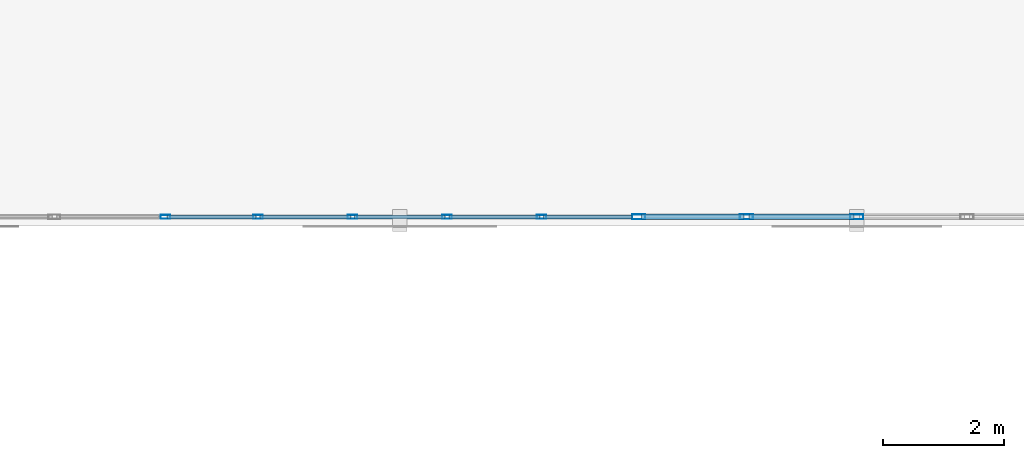
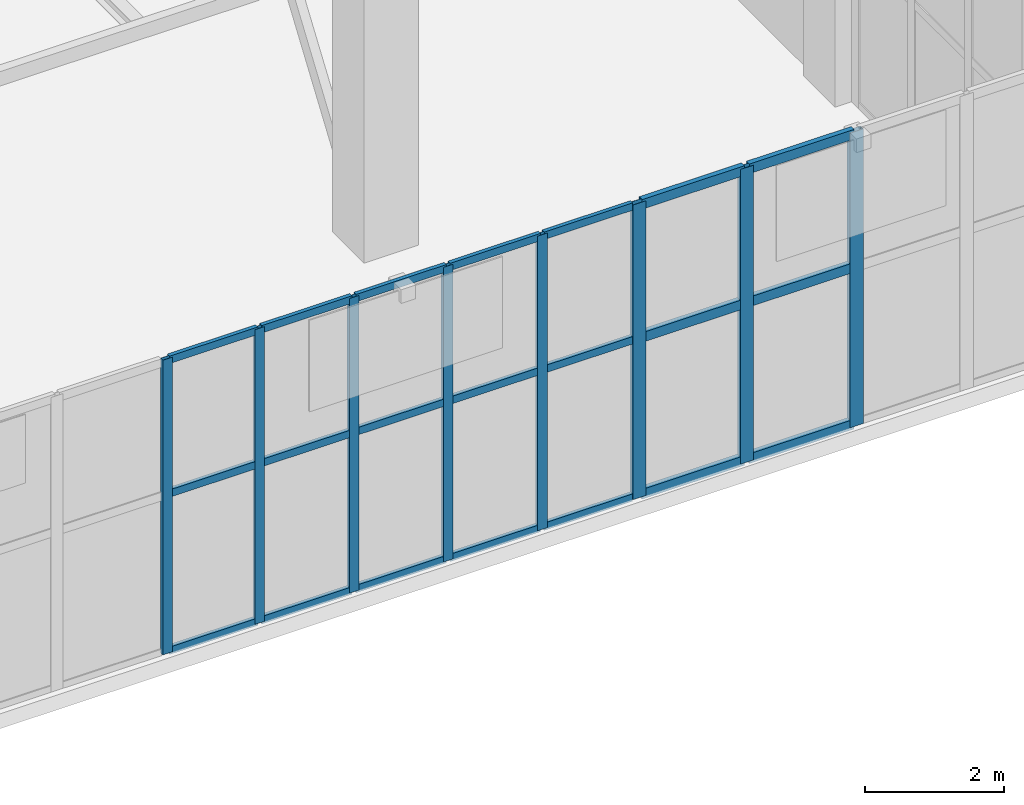
# One storey, part 37 of 139: 29 members, 2 elements without a shape of their own.
"""IFC4 building model written with IfcOpenShell, lengths in metres."""

import ifcopenshell
import ifcopenshell.guid

model = None  # the IFC model being written
_history = None  # IfcOwnerHistory: only IFC2X3 demands one
_inside = {}  # id of a spatial element -> (the spatial element, [elements in it])
_under = {}  # id of a project, library or spatial element -> (it, [spatial elements below it])
_declared = {}  # id of a project -> (the project, [libraries it declares])
_typed = {}  # id of a type object -> (the type object, [elements of that type])
_made_of = {}  # id of a material, layer set ... -> (it, [elements and type objects made of it])


def new_model(schema):
    """Start an empty IFC model of exactly this schema.

    Asked for "IFC4X3", IfcOpenShell would pick the latest addendum, in which some entities
    have other attributes; the version numbers below select the first issue.
    IFC2X3 requires an IfcOwnerHistory on every rooted entity: one is made here for all.
    """
    global model, _history
    if schema == "IFC4X3":
        model = ifcopenshell.file(schema_version=(4, 3, 0, 0))
    else:
        model = ifcopenshell.file(schema=schema)
    _inside.clear()
    _under.clear()
    _declared.clear()
    _typed.clear()
    _made_of.clear()
    _history = None
    if model.schema == "IFC2X3":
        org = make("IfcOrganization", Name="unknown")
        user = make(
            "IfcPersonAndOrganization",
            ThePerson=make("IfcPerson", FamilyName="unknown"),
            TheOrganization=org,
        )
        app = make(
            "IfcApplication",
            ApplicationDeveloper=org,
            Version="unknown",
            ApplicationFullName="unknown",
            ApplicationIdentifier="unknown",
        )
        _history = make(
            "IfcOwnerHistory",
            OwningUser=user,
            OwningApplication=app,
            ChangeAction="ADDED",
            CreationDate=0,
        )
    return model


def make(cls, **values):
    """One entity of the class cls with the attributes given. An attribute that is None is left unset."""
    return model.create_entity(
        cls, **{name: value for name, value in values.items() if value is not None}
    )


def rooted(cls, **values):
    """An entity with a GlobalId (a new one), such as an element, a storey or a relation."""
    return make(cls, GlobalId=ifcopenshell.guid.new(), OwnerHistory=_history, **values)


def si_unit(unit_type, name, prefix=None):
    """IfcSIUnit, for example si_unit("LENGTHUNIT", "METRE", prefix="MILLI")."""
    return make("IfcSIUnit", UnitType=unit_type, Prefix=prefix, Name=name)


def assignment(units):
    """IfcUnitAssignment: the units of a project."""
    return None if units is None else make("IfcUnitAssignment", Units=units)


def point(xyz):
    """IfcCartesianPoint."""
    return None if xyz is None else make("IfcCartesianPoint", Coordinates=xyz)


def direction(xyz):
    """IfcDirection."""
    return None if xyz is None else make("IfcDirection", DirectionRatios=xyz)


def frame(location, z_axis=None, x_axis=None):
    """IfcAxis2Placement3D, a coordinate frame: its origin and axes. An axis left out is left unset."""
    return make(
        "IfcAxis2Placement3D",
        Location=point(location),
        Axis=direction(z_axis),
        RefDirection=direction(x_axis),
    )


def frame_2d(location, x_axis=None):
    """IfcAxis2Placement2D, a coordinate frame in the plane: its origin and x axis."""
    return make(
        "IfcAxis2Placement2D", Location=point(location), RefDirection=direction(x_axis)
    )


def origin():
    """The frame at (0, 0, 0) with its axes left unset."""
    return frame((0.0, 0.0, 0.0))


def origin_2d():
    """The frame at (0, 0) in the plane with its x axis left unset."""
    return frame_2d((0.0, 0.0))


def place(relative_to, where):
    """IfcLocalPlacement: puts the frame where relative to a parent placement (None: the world)."""
    return make(
        "IfcLocalPlacement", PlacementRelTo=relative_to, RelativePlacement=where
    )


def context(
    kind, dimensions, precision=None, world=None, true_north=None, identifier=None
):
    """IfcGeometricRepresentationContext, for example the 3D "Model" context."""
    return make(
        "IfcGeometricRepresentationContext",
        ContextIdentifier=identifier,
        ContextType=kind,
        CoordinateSpaceDimension=dimensions,
        Precision=precision,
        WorldCoordinateSystem=world,
        TrueNorth=true_north,
    )


def subcontext(parent, identifier, kind, view, scale=None):
    """IfcGeometricRepresentationSubContext, for example "Body" below "Model"."""
    return make(
        "IfcGeometricRepresentationSubContext",
        ContextIdentifier=identifier,
        ContextType=kind,
        ParentContext=parent,
        TargetScale=scale,
        TargetView=view,
    )


def project(units=None, contexts=None):
    """IfcProject with its units and contexts."""
    return rooted(
        "IfcProject",
        Name="project",
        RepresentationContexts=contexts,
        UnitsInContext=assignment(units),
    )


def spatial(cls, under=None, at=None, **own):
    """A site, building, storey or space (cls), placed at a placement, below another one or the project."""
    s = rooted(cls, ObjectPlacement=at, **own)
    if under is not None:
        _under.setdefault(under.id(), (under, []))[1].append(s)
    return s


def profile(cls, at=None, kind="AREA", **sizes):
    """A parametric profile (cls). Its sizes go by their IFC names, for example OverallWidth=200.0."""
    return make(cls, ProfileType=kind, Position=at, **sizes)


def hollow_rectangle(**sizes):
    """IfcRectangleHollowProfileDef."""
    return profile("IfcRectangleHollowProfileDef", **sizes)


def extrude(swept, where, along, depth):
    """IfcExtrudedAreaSolid: the profile swept, set in the frame where, extruded along a direction by depth."""
    return make(
        "IfcExtrudedAreaSolid",
        SweptArea=swept,
        Position=where,
        ExtrudedDirection=direction(along),
        Depth=depth,
    )


def shape(context_of_items, identifier, shape_type, items):
    """IfcShapeRepresentation: the items that make up one representation, for example the "Body"."""
    return make(
        "IfcShapeRepresentation",
        ContextOfItems=context_of_items,
        RepresentationIdentifier=identifier,
        RepresentationType=shape_type,
        Items=items,
    )


def material(Name=None, Category=None):
    """IfcMaterial."""
    return make("IfcMaterial", Name=Name, Category=Category)


def layer(
    of_material, thickness, ventilated=None, Name=None, Category=None, Priority=None
):
    """IfcMaterialLayer: one layer of a wall or slab, of a material (None: an air gap)."""
    return make(
        "IfcMaterialLayer",
        Material=of_material,
        LayerThickness=thickness,
        IsVentilated=ventilated,
        Name=Name,
        Category=Category,
        Priority=Priority,
    )


def layer_set(layers, Name=None):
    """IfcMaterialLayerSet."""
    return make("IfcMaterialLayerSet", MaterialLayers=layers, LayerSetName=Name)


def material_profile(
    of_material, cross_section, Name=None, Category=None, Priority=None
):
    """IfcMaterialProfile: a cross section and its material."""
    return make(
        "IfcMaterialProfile",
        Name=Name,
        Material=of_material,
        Profile=cross_section,
        Priority=Priority,
        Category=Category,
    )


def profile_set(profiles, Name=None, composite=None):
    """IfcMaterialProfileSet."""
    return make(
        "IfcMaterialProfileSet",
        Name=Name,
        MaterialProfiles=profiles,
        CompositeProfile=composite,
    )


def made_of(thing, what):
    """Note that an element or type object is made of a material, layer set ...; save() writes the relation."""
    if what is not None:
        _made_of.setdefault(what.id(), (what, []))[1].append(thing)
    return thing


def type_object(cls, material=None, **own):
    """A type object (cls), such as IfcWallType, which elements share."""
    return made_of(rooted(cls, **own), material)


def element(
    cls,
    number,
    at=None,
    inside=None,
    cuts=None,
    type_object=None,
    material=None,
    context=None,
    identifier="Body",
    shape_type=None,
    held_by="IfcProductDefinitionShape",
    body=None,
    shapes=None,
    **own,
):
    """One element of the class cls, such as IfcWall. Its Tag is "e" and its number.

    at: its placement. inside: the storey or other place that contains it. cuts: it is an
    opening in that element (IfcRelVoidsElement). A single representation is given by context,
    identifier, shape_type and body (its items); several are given by shapes. held_by: the class
    of the entity that holds the representations. save() writes the other relations.
    """
    e = rooted(cls, Tag="e%d" % number, ObjectPlacement=at, **own)
    if body is not None:
        shapes = [shape(context, identifier, shape_type, body)]
    if shapes is not None:
        e.Representation = make(held_by, Representations=shapes)
    if inside is not None:
        _inside.setdefault(inside.id(), (inside, []))[1].append(e)
    if cuts is not None:
        rooted(
            "IfcRelVoidsElement", RelatingBuildingElement=cuts, RelatedOpeningElement=e
        )
    if type_object is not None:
        _typed.setdefault(type_object.id(), (type_object, []))[1].append(e)
    return made_of(e, material)


def aggregate(whole, parts):
    """IfcRelAggregates: a whole, such as a stair, and the parts it consists of."""
    return rooted("IfcRelAggregates", RelatingObject=whole, RelatedObjects=parts)


def save(model, path):
    """Write the relations noted so far, then the file.

    IfcRelAggregates (storeys below a building ...), IfcRelContainedInSpatialStructure (elements
    in a storey), IfcRelDefinesByType, IfcRelAssociatesMaterial and IfcRelDeclares: one each for
    every whole, place, type object, material and project.
    """
    for whole, parts in _under.values():
        aggregate(whole, parts)
    for where, things in _inside.values():
        rooted(
            "IfcRelContainedInSpatialStructure",
            RelatedElements=things,
            RelatingStructure=where,
        )
    for kind, things in _typed.values():
        rooted("IfcRelDefinesByType", RelatedObjects=things, RelatingType=kind)
    for what, things in _made_of.values():
        rooted("IfcRelAssociatesMaterial", RelatedObjects=things, RelatingMaterial=what)
    for by, libraries in _declared.values():
        rooted("IfcRelDeclares", RelatingContext=by, RelatedDefinitions=libraries)
    model.write(path)


model = new_model("IFC4")

# Units and contexts
model_context = context("Model", 3, precision=1e-05, world=origin(), true_north=direction((0.0, 1.0)))
body_context = subcontext(model_context, "Body", "Model", "MODEL_VIEW")
ifc_project = project(units=[si_unit("LENGTHUNIT", "METRE"), si_unit("AREAUNIT", "SQUARE_METRE"), si_unit("VOLUMEUNIT", "CUBIC_METRE"), si_unit("PLANEANGLEUNIT", "RADIAN"), si_unit("MASSUNIT", "GRAM", prefix="KILO")], contexts=[model_context])

# Site, building, storey
site_placement = place(None, origin())
site = spatial("IfcSite", under=ifc_project, at=site_placement, CompositionType="ELEMENT")
building_placement = place(site_placement, origin())
building = spatial("IfcBuilding", under=site, at=building_placement, Name="Xicomal Pleat Aquarium", CompositionType="ELEMENT")
storey_placement = place(building_placement, origin())
storey = spatial("IfcBuildingStorey", under=building, at=storey_placement, Name="L01", CompositionType="ELEMENT", Elevation=0.0)

# Curtain wall, members
ifc_material_1 = material(Name="Bronze anodized aluminium 6063-T6", Category="aluminium")
ifc_layer_1 = layer(ifc_material_1, 0.159912109375)
ifc_layer_set_1 = layer_set([ifc_layer_1], Name="Bronze anodized aluminium 6063-T6")
curtain_wall_type_1 = type_object("IfcCurtainWallType", Name="CW-SYS-01", PredefinedType="NOTDEFINED", material=ifc_layer_set_1)
curtain_wall_1_placement = place(storey_placement, origin())
curtain_wall_1 = element("IfcCurtainWall", 1, at=curtain_wall_1_placement, inside=storey, type_object=curtain_wall_type_1, Name="L01 unitised curtain wall CW-L01-048", PredefinedType="NOTDEFINED")
ifc_material_2 = material(Name="Bronze anodized aluminium 6063-T6", Category="aluminium")
ifc_material_profile_1 = material_profile(ifc_material_2, hollow_rectangle(XDim=0.06494140625, YDim=0.159912109375, WallThickness=0.00390625, at=origin_2d()), Name="ALU MULL 65x160")
ifc_profile_set_1 = profile_set([ifc_material_profile_1], Name="Bronze anodized aluminium 6063-T6")
member_type_1 = type_object("IfcMemberType", Name="CWM-65x160", PredefinedType="MULLION", material=ifc_profile_set_1)
member_1_placement = place(storey_placement, frame((124.43994140625, 30.5400390625, 0.0), z_axis=(0.0, 0.0, 1.0), x_axis=(0.0, -1.0, 0.0)))
member_1 = element("IfcMember", 2, at=member_1_placement, type_object=member_type_1, Name="CW-01 mullion 2", PredefinedType="MULLION", context=body_context, shape_type="SweptSolid", body=[
    extrude(hollow_rectangle(XDim=0.06494140625, YDim=0.159912109375, WallThickness=0.00390625, at=origin_2d()), origin(), (0.0, 0.0, 1.0), 5.159912109375),
])
member_2_placement = place(storey_placement, frame((122.8798828125, 30.5400390625, 0.0), z_axis=(0.0, 0.0, 1.0), x_axis=(0.0, -1.0, 0.0)))
member_2 = element("IfcMember", 3, at=member_2_placement, type_object=member_type_1, Name="CW-01 mullion 3", PredefinedType="MULLION", context=body_context, shape_type="SweptSolid", body=[
    extrude(hollow_rectangle(XDim=0.06494140625, YDim=0.159912109375, WallThickness=0.00390625, at=origin_2d()), origin(), (0.0, 0.0, 1.0), 5.159912109375),
])
member_3_placement = place(storey_placement, frame((121.320068359375, 30.5400390625, 0.0), z_axis=(0.0, 0.0, 1.0), x_axis=(0.0, -1.0, 0.0)))
member_3 = element("IfcMember", 4, at=member_3_placement, type_object=member_type_1, Name="CW-01 mullion 4", PredefinedType="MULLION", context=body_context, shape_type="SweptSolid", body=[
    extrude(hollow_rectangle(XDim=0.06494140625, YDim=0.159912109375, WallThickness=0.00390625, at=origin_2d()), origin(), (0.0, 0.0, 1.0), 5.159912109375),
])
member_4_placement = place(storey_placement, frame((119.760009765625, 30.5400390625, 0.0), z_axis=(0.0, 0.0, 1.0), x_axis=(0.0, -1.0, 0.0)))
member_4 = element("IfcMember", 5, at=member_4_placement, type_object=member_type_1, Name="CW-01 mullion 5", PredefinedType="MULLION", context=body_context, shape_type="SweptSolid", body=[
    extrude(hollow_rectangle(XDim=0.06494140625, YDim=0.159912109375, WallThickness=0.00390625, at=origin_2d()), origin(), (0.0, 0.0, 1.0), 5.159912109375),
])
member_5_placement = place(storey_placement, frame((118.232421875, 30.5400390625, 0.0), z_axis=(0.0, 0.0, 1.0), x_axis=(0.0, -1.0, 0.0)))
member_5 = element("IfcMember", 6, at=member_5_placement, type_object=member_type_1, Name="CW-01 mullion 6", PredefinedType="MULLION", context=body_context, shape_type="SweptSolid", body=[
    extrude(hollow_rectangle(XDim=0.06494140625, YDim=0.159912109375, WallThickness=0.00390625, at=origin_2d()), origin(), (0.0, 0.0, 1.0), 5.159912109375),
])

ifc_material_3 = material(Name="Bronze anodized aluminium 6063-T6", Category="aluminium")
ifc_layer_2 = layer(ifc_material_3, 0.159912109375)
ifc_layer_set_2 = layer_set([ifc_layer_2], Name="Bronze anodized aluminium 6063-T6")
curtain_wall_type_2 = type_object("IfcCurtainWallType", Name="CW-SYS-11", PredefinedType="NOTDEFINED", material=ifc_layer_set_2)
curtain_wall_2_placement = place(storey_placement, origin())
curtain_wall_2 = element("IfcCurtainWall", 7, at=curtain_wall_2_placement, inside=storey, type_object=curtain_wall_type_2, Name="L01 unitised curtain wall CW-L01-047", PredefinedType="NOTDEFINED")
ifc_material_4 = material(Name="Bronze anodized aluminium 6063-T6", Category="aluminium")
ifc_material_profile_2 = material_profile(ifc_material_4, hollow_rectangle(XDim=0.0849609375, YDim=0.219970703125, WallThickness=0.0048828125, at=origin_2d()), Name="ALU MULL 85x220")
ifc_profile_set_2 = profile_set([ifc_material_profile_2], Name="Bronze anodized aluminium 6063-T6")
member_type_2 = type_object("IfcMemberType", Name="CWM-85x220", PredefinedType="MULLION", material=ifc_profile_set_2)
member_6_placement = place(storey_placement, frame((129.639892578125, 30.5400390625, 0.0), z_axis=(0.0, 0.0, 1.0), x_axis=(0.0, -1.0, 0.0)))
member_6 = element("IfcMember", 8, at=member_6_placement, type_object=member_type_2, Name="CW-11 mullion 3", PredefinedType="MULLION", context=body_context, shape_type="SweptSolid", body=[
    extrude(hollow_rectangle(XDim=0.0849609375, YDim=0.219970703125, WallThickness=0.0048828125, at=origin_2d()), origin(), (0.0, 0.0, 1.0), 5.159912109375),
])
member_7_placement = place(storey_placement, frame((127.820068359375, 30.5400390625, 0.0), z_axis=(0.0, 0.0, 1.0), x_axis=(0.0, -1.0, 0.0)))
member_7 = element("IfcMember", 9, at=member_7_placement, type_object=member_type_2, Name="CW-11 mullion 4", PredefinedType="MULLION", context=body_context, shape_type="SweptSolid", body=[
    extrude(hollow_rectangle(XDim=0.0849609375, YDim=0.219970703125, WallThickness=0.0048828125, at=origin_2d()), origin(), (0.0, 0.0, 1.0), 5.159912109375),
])
member_8_placement = place(storey_placement, frame((126.04248046875, 30.5400390625, 0.0), z_axis=(0.0, 0.0, 1.0), x_axis=(0.0, -1.0, 0.0)))
member_8 = element("IfcMember", 10, at=member_8_placement, type_object=member_type_2, Name="CW-11 mullion 5", PredefinedType="MULLION", context=body_context, shape_type="SweptSolid", body=[
    extrude(hollow_rectangle(XDim=0.0849609375, YDim=0.219970703125, WallThickness=0.0048828125, at=origin_2d()), origin(), (0.0, 0.0, 1.0), 5.159912109375),
])

# Member
ifc_material_5 = material(Name="Bronze anodized aluminium 6063-T6", Category="aluminium")
ifc_material_profile_3 = material_profile(ifc_material_5, hollow_rectangle(XDim=0.06494140625, YDim=0.1298828125, WallThickness=0.00390625, at=origin_2d()), Name="ALU TRAN 65x130")
ifc_profile_set_3 = profile_set([ifc_material_profile_3], Name="Bronze anodized aluminium 6063-T6")
member_type_3 = type_object("IfcMemberType", Name="CWT-65x130", PredefinedType="USERDEFINED", material=ifc_profile_set_3)
member_9_placement = place(storey_placement, frame((125.93505859375, 30.5400390625, 0.032470703125), z_axis=(-1.0, 0.0, 0.0), x_axis=(0.0, -1.0, 0.0)))
member_9 = element("IfcMember", 11, at=member_9_placement, type_object=member_type_3, Name="CW-01 transom 1.1", ObjectType="TRANSOM", PredefinedType="USERDEFINED", context=body_context, shape_type="SweptSolid", body=[
    extrude(hollow_rectangle(XDim=0.06494140625, YDim=0.1298828125, WallThickness=0.00390625, at=origin_2d()), origin(), (0.0, 0.0, 1.0), 1.462646484375),
])

member_10_placement = place(storey_placement, frame((125.93505859375, 30.5400390625, 2.785888671875), z_axis=(-1.0, 0.0, 0.0), x_axis=(0.0, -1.0, 0.0)))
member_10 = element("IfcMember", 12, at=member_10_placement, type_object=member_type_3, Name="CW-01 transom 1.2", ObjectType="TRANSOM", PredefinedType="USERDEFINED", context=body_context, shape_type="SweptSolid", body=[
    extrude(hollow_rectangle(XDim=0.06494140625, YDim=0.1298828125, WallThickness=0.00390625, at=origin_2d()), origin(), (0.0, 0.0, 1.0), 1.462646484375),
])

member_11_placement = place(storey_placement, frame((125.93505859375, 30.5400390625, 5.12744140625), z_axis=(-1.0, 0.0, 0.0), x_axis=(0.0, -1.0, 0.0)))
member_11 = element("IfcMember", 13, at=member_11_placement, type_object=member_type_3, Name="CW-01 transom 1.3", ObjectType="TRANSOM", PredefinedType="USERDEFINED", context=body_context, shape_type="SweptSolid", body=[
    extrude(hollow_rectangle(XDim=0.06494140625, YDim=0.1298828125, WallThickness=0.00390625, at=origin_2d()), origin(), (0.0, 0.0, 1.0), 1.462646484375),
])

member_12_placement = place(storey_placement, frame((124.407470703125, 30.5400390625, 0.032470703125), z_axis=(-1.0, 0.0, 0.0), x_axis=(0.0, -1.0, 0.0)))
member_12 = element("IfcMember", 14, at=member_12_placement, type_object=member_type_3, Name="CW-01 transom 2.1", ObjectType="TRANSOM", PredefinedType="USERDEFINED", context=body_context, shape_type="SweptSolid", body=[
    extrude(hollow_rectangle(XDim=0.06494140625, YDim=0.1298828125, WallThickness=0.00390625, at=origin_2d()), origin(), (0.0, 0.0, 1.0), 1.494873046875),
])

member_13_placement = place(storey_placement, frame((124.407470703125, 30.5400390625, 2.785888671875), z_axis=(-1.0, 0.0, 0.0), x_axis=(0.0, -1.0, 0.0)))
member_13 = element("IfcMember", 15, at=member_13_placement, type_object=member_type_3, Name="CW-01 transom 2.2", ObjectType="TRANSOM", PredefinedType="USERDEFINED", context=body_context, shape_type="SweptSolid", body=[
    extrude(hollow_rectangle(XDim=0.06494140625, YDim=0.1298828125, WallThickness=0.00390625, at=origin_2d()), origin(), (0.0, 0.0, 1.0), 1.494873046875),
])

member_14_placement = place(storey_placement, frame((124.407470703125, 30.5400390625, 5.12744140625), z_axis=(-1.0, 0.0, 0.0), x_axis=(0.0, -1.0, 0.0)))
member_14 = element("IfcMember", 16, at=member_14_placement, type_object=member_type_3, Name="CW-01 transom 2.3", ObjectType="TRANSOM", PredefinedType="USERDEFINED", context=body_context, shape_type="SweptSolid", body=[
    extrude(hollow_rectangle(XDim=0.06494140625, YDim=0.1298828125, WallThickness=0.00390625, at=origin_2d()), origin(), (0.0, 0.0, 1.0), 1.494873046875),
])

member_15_placement = place(storey_placement, frame((122.847412109375, 30.5400390625, 0.032470703125), z_axis=(-1.0, 0.0, 0.0), x_axis=(0.0, -1.0, 0.0)))
member_15 = element("IfcMember", 17, at=member_15_placement, type_object=member_type_3, Name="CW-01 transom 3.1", ObjectType="TRANSOM", PredefinedType="USERDEFINED", context=body_context, shape_type="SweptSolid", body=[
    extrude(hollow_rectangle(XDim=0.06494140625, YDim=0.1298828125, WallThickness=0.00390625, at=origin_2d()), origin(), (0.0, 0.0, 1.0), 1.494873046875),
])

member_16_placement = place(storey_placement, frame((122.847412109375, 30.5400390625, 2.785888671875), z_axis=(-1.0, 0.0, 0.0), x_axis=(0.0, -1.0, 0.0)))
member_16 = element("IfcMember", 18, at=member_16_placement, type_object=member_type_3, Name="CW-01 transom 3.2", ObjectType="TRANSOM", PredefinedType="USERDEFINED", context=body_context, shape_type="SweptSolid", body=[
    extrude(hollow_rectangle(XDim=0.06494140625, YDim=0.1298828125, WallThickness=0.00390625, at=origin_2d()), origin(), (0.0, 0.0, 1.0), 1.494873046875),
])

member_17_placement = place(storey_placement, frame((122.847412109375, 30.5400390625, 5.12744140625), z_axis=(-1.0, 0.0, 0.0), x_axis=(0.0, -1.0, 0.0)))
member_17 = element("IfcMember", 19, at=member_17_placement, type_object=member_type_3, Name="CW-01 transom 3.3", ObjectType="TRANSOM", PredefinedType="USERDEFINED", context=body_context, shape_type="SweptSolid", body=[
    extrude(hollow_rectangle(XDim=0.06494140625, YDim=0.1298828125, WallThickness=0.00390625, at=origin_2d()), origin(), (0.0, 0.0, 1.0), 1.494873046875),
])

member_18_placement = place(storey_placement, frame((121.28759765625, 30.5400390625, 0.032470703125), z_axis=(-1.0, 0.0, 0.0), x_axis=(0.0, -1.0, 0.0)))
member_18 = element("IfcMember", 20, at=member_18_placement, type_object=member_type_3, Name="CW-01 transom 4.1", ObjectType="TRANSOM", PredefinedType="USERDEFINED", context=body_context, shape_type="SweptSolid", body=[
    extrude(hollow_rectangle(XDim=0.06494140625, YDim=0.1298828125, WallThickness=0.00390625, at=origin_2d()), origin(), (0.0, 0.0, 1.0), 1.4951171875),
])

member_19_placement = place(storey_placement, frame((121.28759765625, 30.5400390625, 2.785888671875), z_axis=(-1.0, 0.0, 0.0), x_axis=(0.0, -1.0, 0.0)))
member_19 = element("IfcMember", 21, at=member_19_placement, type_object=member_type_3, Name="CW-01 transom 4.2", ObjectType="TRANSOM", PredefinedType="USERDEFINED", context=body_context, shape_type="SweptSolid", body=[
    extrude(hollow_rectangle(XDim=0.06494140625, YDim=0.1298828125, WallThickness=0.00390625, at=origin_2d()), origin(), (0.0, 0.0, 1.0), 1.4951171875),
])

member_20_placement = place(storey_placement, frame((121.28759765625, 30.5400390625, 5.12744140625), z_axis=(-1.0, 0.0, 0.0), x_axis=(0.0, -1.0, 0.0)))
member_20 = element("IfcMember", 22, at=member_20_placement, type_object=member_type_3, Name="CW-01 transom 4.3", ObjectType="TRANSOM", PredefinedType="USERDEFINED", context=body_context, shape_type="SweptSolid", body=[
    extrude(hollow_rectangle(XDim=0.06494140625, YDim=0.1298828125, WallThickness=0.00390625, at=origin_2d()), origin(), (0.0, 0.0, 1.0), 1.4951171875),
])

member_21_placement = place(storey_placement, frame((119.7275390625, 30.5400390625, 0.032470703125), z_axis=(-1.0, 0.0, 0.0), x_axis=(0.0, -1.0, 0.0)))
member_21 = element("IfcMember", 23, at=member_21_placement, type_object=member_type_3, Name="CW-01 transom 5.1", ObjectType="TRANSOM", PredefinedType="USERDEFINED", context=body_context, shape_type="SweptSolid", body=[
    extrude(hollow_rectangle(XDim=0.06494140625, YDim=0.1298828125, WallThickness=0.00390625, at=origin_2d()), origin(), (0.0, 0.0, 1.0), 1.462646484375),
])

member_22_placement = place(storey_placement, frame((119.7275390625, 30.5400390625, 2.785888671875), z_axis=(-1.0, 0.0, 0.0), x_axis=(0.0, -1.0, 0.0)))
member_22 = element("IfcMember", 24, at=member_22_placement, type_object=member_type_3, Name="CW-01 transom 5.2", ObjectType="TRANSOM", PredefinedType="USERDEFINED", context=body_context, shape_type="SweptSolid", body=[
    extrude(hollow_rectangle(XDim=0.06494140625, YDim=0.1298828125, WallThickness=0.00390625, at=origin_2d()), origin(), (0.0, 0.0, 1.0), 1.462646484375),
])

member_23_placement = place(storey_placement, frame((119.7275390625, 30.5400390625, 5.12744140625), z_axis=(-1.0, 0.0, 0.0), x_axis=(0.0, -1.0, 0.0)))
member_23 = element("IfcMember", 25, at=member_23_placement, type_object=member_type_3, Name="CW-01 transom 5.3", ObjectType="TRANSOM", PredefinedType="USERDEFINED", context=body_context, shape_type="SweptSolid", body=[
    extrude(hollow_rectangle(XDim=0.06494140625, YDim=0.1298828125, WallThickness=0.00390625, at=origin_2d()), origin(), (0.0, 0.0, 1.0), 1.462646484375),
])

aggregate(curtain_wall_1, [member_1, member_2, member_3, member_4, member_5, member_9, member_10, member_11, member_12, member_13, member_14, member_15, member_16, member_17, member_18, member_19, member_20, member_21, member_22, member_23])

ifc_material_6 = material(Name="Bronze anodized aluminium 6063-T6", Category="aluminium")
ifc_material_profile_4 = material_profile(ifc_material_6, hollow_rectangle(XDim=0.0849609375, YDim=0.169921875, WallThickness=0.0048828125, at=origin_2d()), Name="ALU TRAN 85x170")
ifc_profile_set_4 = profile_set([ifc_material_profile_4], Name="Bronze anodized aluminium 6063-T6")
member_type_4 = type_object("IfcMemberType", Name="CWT-85x170", PredefinedType="USERDEFINED", material=ifc_profile_set_4)
member_24_placement = place(storey_placement, frame((129.597412109375, 30.5400390625, 0.04248046875), z_axis=(-1.0, 0.0, 0.0), x_axis=(0.0, -1.0, 0.0)))
member_24 = element("IfcMember", 26, at=member_24_placement, type_object=member_type_4, Name="CW-11 transom 3.1", ObjectType="TRANSOM", PredefinedType="USERDEFINED", context=body_context, shape_type="SweptSolid", body=[
    extrude(hollow_rectangle(XDim=0.0849609375, YDim=0.169921875, WallThickness=0.0048828125, at=origin_2d()), origin(), (0.0, 0.0, 1.0), 1.73486328125),
])

member_25_placement = place(storey_placement, frame((129.597412109375, 30.5400390625, 2.785888671875), z_axis=(-1.0, 0.0, 0.0), x_axis=(0.0, -1.0, 0.0)))
member_25 = element("IfcMember", 27, at=member_25_placement, type_object=member_type_4, Name="CW-11 transom 3.2", ObjectType="TRANSOM", PredefinedType="USERDEFINED", context=body_context, shape_type="SweptSolid", body=[
    extrude(hollow_rectangle(XDim=0.0849609375, YDim=0.169921875, WallThickness=0.0048828125, at=origin_2d()), origin(), (0.0, 0.0, 1.0), 1.73486328125),
])

member_26_placement = place(storey_placement, frame((129.597412109375, 30.5400390625, 5.117431640625), z_axis=(-1.0, 0.0, 0.0), x_axis=(0.0, -1.0, 0.0)))
member_26 = element("IfcMember", 28, at=member_26_placement, type_object=member_type_4, Name="CW-11 transom 3.3", ObjectType="TRANSOM", PredefinedType="USERDEFINED", context=body_context, shape_type="SweptSolid", body=[
    extrude(hollow_rectangle(XDim=0.0849609375, YDim=0.169921875, WallThickness=0.0048828125, at=origin_2d()), origin(), (0.0, 0.0, 1.0), 1.73486328125),
])

member_27_placement = place(storey_placement, frame((127.777587890625, 30.5400390625, 0.04248046875), z_axis=(-1.0, 0.0, 0.0), x_axis=(0.0, -1.0, 0.0)))
member_27 = element("IfcMember", 29, at=member_27_placement, type_object=member_type_4, Name="CW-11 transom 4.1", ObjectType="TRANSOM", PredefinedType="USERDEFINED", context=body_context, shape_type="SweptSolid", body=[
    extrude(hollow_rectangle(XDim=0.0849609375, YDim=0.169921875, WallThickness=0.0048828125, at=origin_2d()), origin(), (0.0, 0.0, 1.0), 1.692626953125),
])

member_28_placement = place(storey_placement, frame((127.777587890625, 30.5400390625, 2.785888671875), z_axis=(-1.0, 0.0, 0.0), x_axis=(0.0, -1.0, 0.0)))
member_28 = element("IfcMember", 30, at=member_28_placement, type_object=member_type_4, Name="CW-11 transom 4.2", ObjectType="TRANSOM", PredefinedType="USERDEFINED", context=body_context, shape_type="SweptSolid", body=[
    extrude(hollow_rectangle(XDim=0.0849609375, YDim=0.169921875, WallThickness=0.0048828125, at=origin_2d()), origin(), (0.0, 0.0, 1.0), 1.692626953125),
])

member_29_placement = place(storey_placement, frame((127.777587890625, 30.5400390625, 5.117431640625), z_axis=(-1.0, 0.0, 0.0), x_axis=(0.0, -1.0, 0.0)))
member_29 = element("IfcMember", 31, at=member_29_placement, type_object=member_type_4, Name="CW-11 transom 4.3", ObjectType="TRANSOM", PredefinedType="USERDEFINED", context=body_context, shape_type="SweptSolid", body=[
    extrude(hollow_rectangle(XDim=0.0849609375, YDim=0.169921875, WallThickness=0.0048828125, at=origin_2d()), origin(), (0.0, 0.0, 1.0), 1.692626953125),
])

aggregate(curtain_wall_2, [member_6, member_7, member_8, member_24, member_25, member_26, member_27, member_28, member_29])

save(model, "model.ifc")
